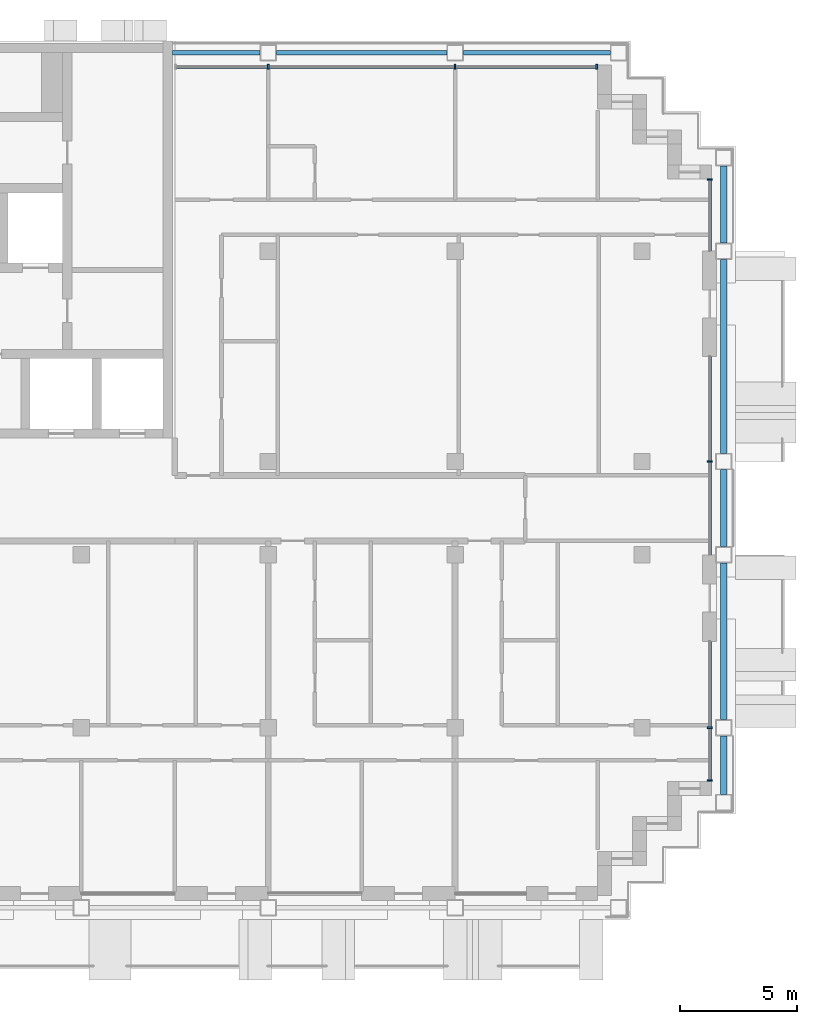
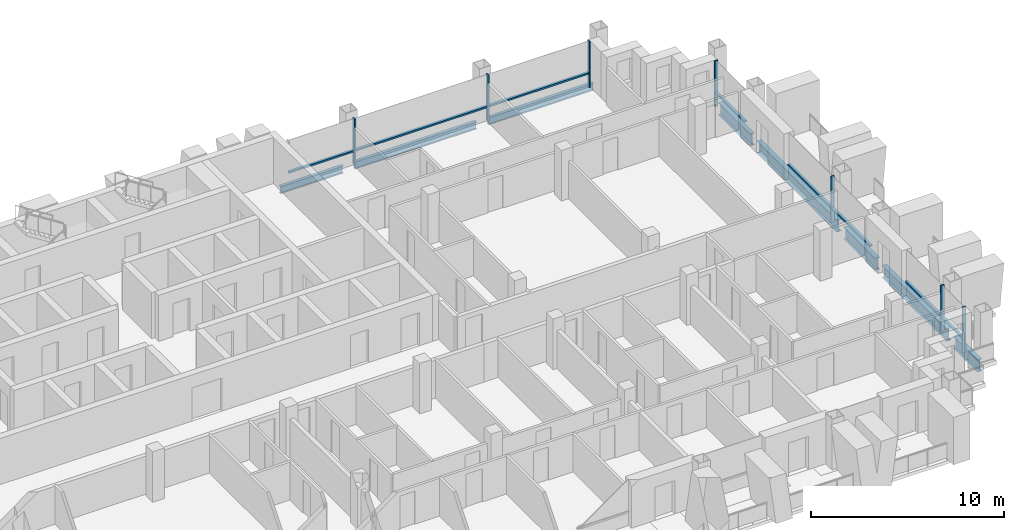
# One storey, part 5 of 16: 15 members, 8 beams, 4 elements without a shape of their own.
"""IFC4 building model written with IfcOpenShell, lengths in metres."""

from ifc_helpers import new_model, si_unit, direction, frame, origin, origin_2d, place, context, subcontext, project, spatial, rectangle, i_section, extrude, material, material_profile, profile_set, type_object, element, aggregate, save


model = new_model("IFC4")

# Units and contexts
model_context = context("Model", 3, precision=1e-05, world=origin(), true_north=direction((0.0, 1.0)))
body_context = subcontext(model_context, "Body", "Model", "MODEL_VIEW")
ifc_project = project(units=[si_unit("LENGTHUNIT", "METRE"), si_unit("AREAUNIT", "SQUARE_METRE"), si_unit("VOLUMEUNIT", "CUBIC_METRE"), si_unit("PLANEANGLEUNIT", "RADIAN"), si_unit("MASSUNIT", "GRAM", prefix="KILO")], contexts=[model_context])

# Site, building, storey
site_placement = place(None, origin())
site = spatial("IfcSite", under=ifc_project, at=site_placement, CompositionType="ELEMENT")
building_placement = place(site_placement, origin())
building = spatial("IfcBuilding", under=site, at=building_placement, Name="Vidyagriha Tower", CompositionType="ELEMENT")
storey_placement = place(building_placement, frame((0.0, 0.0, 181.300048828125)))
storey = spatial("IfcBuildingStorey", under=building, at=storey_placement, Name="L47", CompositionType="ELEMENT", Elevation=181.300048828125)

# Beams
ifc_material_1 = material(Name="Steel ASTM A992 Grade 50", Category="steel")
ifc_material_profile_1 = material_profile(ifc_material_1, i_section(OverallWidth=0.2666015625, OverallDepth=0.76953125, WebThickness=0.015625, FlangeThickness=0.025390625, at=origin_2d()), Name="W30X132")
ifc_profile_set_1 = profile_set([ifc_material_profile_1], Name="Steel ASTM A992 Grade 50")
beam_type_1 = type_object("IfcBeamType", Name="Cantilever edge beam W30X132", PredefinedType="SPANDREL", material=ifc_profile_set_1)
beam_1_placement = place(storey_placement, frame((37.5, -12.25, -0.664794921875), z_axis=(0.0, 1.0, 0.0), x_axis=(-1.0, 0.0, 0.0)))
element("IfcBeam", 1, at=beam_1_placement, inside=storey, type_object=beam_type_1, Name="st-beam-L47-E13", PredefinedType="SPANDREL", context=body_context, shape_type="SweptSolid", body=[
    extrude(i_section(OverallWidth=0.2666015625, OverallDepth=0.76953125, WebThickness=0.015625, FlangeThickness=0.025390625, at=origin_2d()), origin(), (0.0, 0.0, 1.0), 2.5),
])
beam_2_placement = place(storey_placement, frame((37.5, -9.050048828125, -0.664794921875), z_axis=(0.0, 1.0, 0.0), x_axis=(-1.0, 0.0, 0.0)))
element("IfcBeam", 2, at=beam_2_placement, inside=storey, type_object=beam_type_1, Name="st-beam-L47-E14", PredefinedType="SPANDREL", context=body_context, shape_type="SweptSolid", body=[
    extrude(i_section(OverallWidth=0.2666015625, OverallDepth=0.76953125, WebThickness=0.015625, FlangeThickness=0.025390625, at=origin_2d()), origin(), (0.0, 0.0, 1.0), 6.699951171875),
])
beam_3_placement = place(storey_placement, frame((37.5, -1.64990234375, -0.664794921875), z_axis=(0.0, 1.0, 0.0), x_axis=(-1.0, 0.0, 0.0)))
element("IfcBeam", 3, at=beam_3_placement, inside=storey, type_object=beam_type_1, Name="st-beam-L47-E15", PredefinedType="SPANDREL", context=body_context, shape_type="SweptSolid", body=[
    extrude(i_section(OverallWidth=0.2666015625, OverallDepth=0.76953125, WebThickness=0.015625, FlangeThickness=0.025390625, at=origin_2d()), origin(), (0.0, 0.0, 1.0), 3.2998046875),
])
beam_4_placement = place(storey_placement, frame((37.5, 2.35009765625, -0.664794921875), z_axis=(0.0, 1.0, 0.0), x_axis=(-1.0, 0.0, 0.0)))
element("IfcBeam", 4, at=beam_4_placement, inside=storey, type_object=beam_type_1, Name="st-beam-L47-E16", PredefinedType="SPANDREL", context=body_context, shape_type="SweptSolid", body=[
    extrude(i_section(OverallWidth=0.2666015625, OverallDepth=0.76953125, WebThickness=0.015625, FlangeThickness=0.025390625, at=origin_2d()), origin(), (0.0, 0.0, 1.0), 8.2998046875),
])
beam_5_placement = place(storey_placement, frame((37.5, 11.35009765625, -0.664794921875), z_axis=(0.0, 1.0, 0.0), x_axis=(-1.0, 0.0, 0.0)))
element("IfcBeam", 5, at=beam_5_placement, inside=storey, type_object=beam_type_1, Name="st-beam-L47-E17", PredefinedType="SPANDREL", context=body_context, shape_type="SweptSolid", body=[
    extrude(i_section(OverallWidth=0.2666015625, OverallDepth=0.76953125, WebThickness=0.015625, FlangeThickness=0.025390625, at=origin_2d()), origin(), (0.0, 0.0, 1.0), 3.2998046875),
])
ifc_material_2 = material(Name="Steel ASTM A992 Grade 50", Category="steel")
ifc_material_profile_2 = material_profile(ifc_material_2, i_section(OverallWidth=0.19189453125, OverallDepth=0.46240234375, WebThickness=0.010498046875, FlangeThickness=0.017578125, at=origin_2d()), Name="W18X60")
ifc_profile_set_2 = profile_set([ifc_material_profile_2], Name="Steel ASTM A992 Grade 50")
beam_type_2 = type_object("IfcBeamType", Name="Edge beam W18X60", PredefinedType="SPANDREL", material=ifc_profile_set_2)
beam_6_placement = place(storey_placement, frame((18.35009765625, 19.5, -0.51123046875), z_axis=(1.0, 0.0, 0.0), x_axis=(0.0, 1.0, 0.0)))
element("IfcBeam", 6, at=beam_6_placement, inside=storey, type_object=beam_type_2, Name="st-beam-L47-NE18", PredefinedType="SPANDREL", context=body_context, shape_type="SweptSolid", body=[
    extrude(i_section(OverallWidth=0.19189453125, OverallDepth=0.46240234375, WebThickness=0.010498046875, FlangeThickness=0.017578125, at=origin_2d()), origin(), (0.0, 0.0, 1.0), 7.2998046875),
])
beam_7_placement = place(storey_placement, frame((26.35009765625, 19.5, -0.51123046875), z_axis=(1.0, 0.0, 0.0), x_axis=(0.0, 1.0, 0.0)))
element("IfcBeam", 7, at=beam_7_placement, inside=storey, type_object=beam_type_2, Name="st-beam-L47-NE19", PredefinedType="SPANDREL", context=body_context, shape_type="SweptSolid", body=[
    extrude(i_section(OverallWidth=0.19189453125, OverallDepth=0.46240234375, WebThickness=0.010498046875, FlangeThickness=0.017578125, at=origin_2d()), origin(), (0.0, 0.0, 1.0), 6.2998046875),
])
beam_8_placement = place(storey_placement, frame((13.89990234375, 19.5, -0.51123046875), z_axis=(1.0, 0.0, 0.0), x_axis=(0.0, 1.0, 0.0)))
element("IfcBeam", 8, at=beam_8_placement, inside=storey, type_object=beam_type_2, Name="st-beam-L47-NC21", PredefinedType="SPANDREL", context=body_context, shape_type="SweptSolid", body=[
    extrude(i_section(OverallWidth=0.19189453125, OverallDepth=0.46240234375, WebThickness=0.010498046875, FlangeThickness=0.017578125, at=origin_2d()), origin(), (0.0, 0.0, 1.0), 3.75),
])

# Curtain wall, members
ifc_material_3 = material(Name="Aluminium and glass curtain wall", Category="aluminium")
curtain_wall_type = type_object("IfcCurtainWallType", Name="Dwelling skin unitised curtain wall", PredefinedType="USERDEFINED", material=ifc_material_3)
curtain_wall_1_placement = place(storey_placement, origin())
curtain_wall_1 = element("IfcCurtainWall", 9, at=curtain_wall_1_placement, inside=storey, type_object=curtain_wall_type, Name="CW1 dwelling skin", ObjectType="UNITISED", PredefinedType="USERDEFINED")
ifc_material_4 = material(Name="Aluminium black anodised", Category="aluminium")
ifc_material_profile_3 = material_profile(ifc_material_4, rectangle(XDim=0.199951171875, YDim=0.070068359375, at=origin_2d()), Name="Mullion 70x200 black aluminium")
ifc_profile_set_3 = profile_set([ifc_material_profile_3], Name="Aluminium black anodised")
member_type_1 = type_object("IfcMemberType", Name="Mullion 70x200 black aluminium", PredefinedType="MULLION", material=ifc_profile_set_3)
member_1_placement = place(storey_placement, frame((32.06494140625, 18.89990234375, 0.0), z_axis=(0.0, 0.0, 1.0), x_axis=(0.0, -1.0, 0.0)))
member_1 = element("IfcMember", 10, at=member_1_placement, type_object=member_type_1, Name="CW1 mullion 1", PredefinedType="MULLION", context=body_context, shape_type="SweptSolid", body=[
    extrude(rectangle(XDim=0.199951171875, YDim=0.070068359375, at=origin_2d()), origin(), (0.0, 0.0, 1.0), 2.919921875),
])
member_2_placement = place(storey_placement, frame((26.0, 18.89990234375, 0.0), z_axis=(0.0, 0.0, 1.0), x_axis=(0.0, -1.0, 0.0)))
member_2 = element("IfcMember", 11, at=member_2_placement, type_object=member_type_1, Name="CW1 mullion 2", PredefinedType="MULLION", context=body_context, shape_type="SweptSolid", body=[
    extrude(rectangle(XDim=0.199951171875, YDim=0.070068359375, at=origin_2d()), origin(), (0.0, 0.0, 1.0), 2.919921875),
])
member_3_placement = place(storey_placement, frame((18.0, 18.89990234375, 0.0), z_axis=(0.0, 0.0, 1.0), x_axis=(0.0, -1.0, 0.0)))
member_3 = element("IfcMember", 12, at=member_3_placement, type_object=member_type_1, Name="CW1 mullion 3", PredefinedType="MULLION", context=body_context, shape_type="SweptSolid", body=[
    extrude(rectangle(XDim=0.199951171875, YDim=0.070068359375, at=origin_2d()), origin(), (0.0, 0.0, 1.0), 2.919921875),
])

curtain_wall_2_placement = place(storey_placement, origin())
curtain_wall_2 = element("IfcCurtainWall", 13, at=curtain_wall_2_placement, inside=storey, type_object=curtain_wall_type, Name="CW1 dwelling skin", ObjectType="UNITISED", PredefinedType="USERDEFINED")
member_4_placement = place(storey_placement, frame((36.89990234375, -11.6650390625, 0.0), z_axis=(0.0, 0.0, 1.0), x_axis=(-1.0, 0.0, 0.0)))
member_4 = element("IfcMember", 14, at=member_4_placement, type_object=member_type_1, Name="CW1 mullion 1", PredefinedType="MULLION", context=body_context, shape_type="SweptSolid", body=[
    extrude(rectangle(XDim=0.199951171875, YDim=0.070068359375, at=origin_2d()), origin(), (0.0, 0.0, 1.0), 2.919921875),
])
member_5_placement = place(storey_placement, frame((36.89990234375, -9.39990234375, 0.0), z_axis=(0.0, 0.0, 1.0), x_axis=(-1.0, 0.0, 0.0)))
member_5 = element("IfcMember", 15, at=member_5_placement, type_object=member_type_1, Name="CW1 mullion 2", PredefinedType="MULLION", context=body_context, shape_type="SweptSolid", body=[
    extrude(rectangle(XDim=0.199951171875, YDim=0.070068359375, at=origin_2d()), origin(), (0.0, 0.0, 1.0), 2.919921875),
])

# Curtain wall, member
curtain_wall_3_placement = place(storey_placement, origin())
curtain_wall_3 = element("IfcCurtainWall", 16, at=curtain_wall_3_placement, inside=storey, type_object=curtain_wall_type, Name="CW1 dwelling skin", ObjectType="UNITISED", PredefinedType="USERDEFINED")
member_6_placement = place(storey_placement, frame((36.89990234375, 2.0, 0.0), z_axis=(0.0, 0.0, 1.0), x_axis=(-1.0, 0.0, 0.0)))
member_6 = element("IfcMember", 17, at=member_6_placement, type_object=member_type_1, Name="CW1 mullion 2", PredefinedType="MULLION", context=body_context, shape_type="SweptSolid", body=[
    extrude(rectangle(XDim=0.199951171875, YDim=0.070068359375, at=origin_2d()), origin(), (0.0, 0.0, 1.0), 2.919921875),
])

curtain_wall_4_placement = place(storey_placement, origin())
curtain_wall_4 = element("IfcCurtainWall", 18, at=curtain_wall_4_placement, inside=storey, type_object=curtain_wall_type, Name="CW1 dwelling skin", ObjectType="UNITISED", PredefinedType="USERDEFINED")
member_7_placement = place(storey_placement, frame((36.89990234375, 14.06494140625, 0.0), z_axis=(0.0, 0.0, 1.0), x_axis=(-1.0, 0.0, 0.0)))
member_7 = element("IfcMember", 19, at=member_7_placement, type_object=member_type_1, Name="CW1 mullion 2", PredefinedType="MULLION", context=body_context, shape_type="SweptSolid", body=[
    extrude(rectangle(XDim=0.199951171875, YDim=0.070068359375, at=origin_2d()), origin(), (0.0, 0.0, 1.0), 2.919921875),
])

# Member
ifc_material_5 = material(Name="Aluminium black anodised", Category="aluminium")
ifc_material_profile_4 = material_profile(ifc_material_5, rectangle(XDim=0.159912109375, YDim=0.10009765625, at=origin_2d()), Name="Transom 100x160 black aluminium")
ifc_profile_set_4 = profile_set([ifc_material_profile_4], Name="Aluminium black anodised")
member_type_2 = type_object("IfcMemberType", Name="Transom 100x160 black aluminium", PredefinedType="USERDEFINED", material=ifc_profile_set_4)
member_8_placement = place(storey_placement, frame((32.030029296875, 18.89990234375, 0.89990234375), z_axis=(-1.0, 0.0, 0.0), x_axis=(0.0, -1.0, 0.0)))
member_8 = element("IfcMember", 20, at=member_8_placement, type_object=member_type_2, Name="CW1 transom 1.1", ObjectType="TRANSOM", PredefinedType="USERDEFINED", context=body_context, shape_type="SweptSolid", body=[
    extrude(rectangle(XDim=0.159912109375, YDim=0.10009765625, at=origin_2d()), origin(), (0.0, 0.0, 1.0), 5.9951171875),
])

member_9_placement = place(storey_placement, frame((25.965087890625, 18.89990234375, 0.89990234375), z_axis=(-1.0, 0.0, 0.0), x_axis=(0.0, -1.0, 0.0)))
member_9 = element("IfcMember", 21, at=member_9_placement, type_object=member_type_2, Name="CW1 transom 2.1", ObjectType="TRANSOM", PredefinedType="USERDEFINED", context=body_context, shape_type="SweptSolid", body=[
    extrude(rectangle(XDim=0.159912109375, YDim=0.10009765625, at=origin_2d()), origin(), (0.0, 0.0, 1.0), 7.93017578125),
])

member_10_placement = place(storey_placement, frame((17.965087890625, 18.89990234375, 0.89990234375), z_axis=(-1.0, 0.0, 0.0), x_axis=(0.0, -1.0, 0.0)))
member_10 = element("IfcMember", 22, at=member_10_placement, type_object=member_type_2, Name="CW1 transom 3.1", ObjectType="TRANSOM", PredefinedType="USERDEFINED", context=body_context, shape_type="SweptSolid", body=[
    extrude(rectangle(XDim=0.159912109375, YDim=0.10009765625, at=origin_2d()), origin(), (0.0, 0.0, 1.0), 3.89501953125),
])

aggregate(curtain_wall_1, [member_1, member_2, member_3, member_8, member_9, member_10])

member_11_placement = place(storey_placement, frame((36.89990234375, -11.6298828125, 0.89990234375), z_axis=(0.0, 1.0, 0.0), x_axis=(-1.0, 0.0, 0.0)))
member_11 = element("IfcMember", 23, at=member_11_placement, type_object=member_type_2, Name="CW1 transom 1.1", ObjectType="TRANSOM", PredefinedType="USERDEFINED", context=body_context, shape_type="SweptSolid", body=[
    extrude(rectangle(XDim=0.159912109375, YDim=0.10009765625, at=origin_2d()), origin(), (0.0, 0.0, 1.0), 2.19482421875),
])

member_12_placement = place(storey_placement, frame((36.89990234375, -9.364990234375, 0.89990234375), z_axis=(0.0, 1.0, 0.0), x_axis=(-1.0, 0.0, 0.0)))
member_12 = element("IfcMember", 24, at=member_12_placement, type_object=member_type_2, Name="CW1 transom 2.1", ObjectType="TRANSOM", PredefinedType="USERDEFINED", context=body_context, shape_type="SweptSolid", body=[
    extrude(rectangle(XDim=0.159912109375, YDim=0.10009765625, at=origin_2d()), origin(), (0.0, 0.0, 1.0), 3.6650390625),
])

aggregate(curtain_wall_2, [member_4, member_5, member_11, member_12])

member_13_placement = place(storey_placement, frame((36.89990234375, -2.0, 0.89990234375), z_axis=(0.0, 1.0, 0.0), x_axis=(-1.0, 0.0, 0.0)))
member_13 = element("IfcMember", 25, at=member_13_placement, type_object=member_type_2, Name="CW1 transom 1.1", ObjectType="TRANSOM", PredefinedType="USERDEFINED", context=body_context, shape_type="SweptSolid", body=[
    extrude(rectangle(XDim=0.159912109375, YDim=0.10009765625, at=origin_2d()), origin(), (0.0, 0.0, 1.0), 3.965087890625),
])

member_14_placement = place(storey_placement, frame((36.89990234375, 2.034912109375, 0.89990234375), z_axis=(0.0, 1.0, 0.0), x_axis=(-1.0, 0.0, 0.0)))
member_14 = element("IfcMember", 26, at=member_14_placement, type_object=member_type_2, Name="CW1 transom 2.1", ObjectType="TRANSOM", PredefinedType="USERDEFINED", context=body_context, shape_type="SweptSolid", body=[
    extrude(rectangle(XDim=0.159912109375, YDim=0.10009765625, at=origin_2d()), origin(), (0.0, 0.0, 1.0), 4.465087890625),
])

aggregate(curtain_wall_3, [member_6, member_13, member_14])

member_15_placement = place(storey_placement, frame((36.89990234375, 11.0, 0.89990234375), z_axis=(0.0, 1.0, 0.0), x_axis=(-1.0, 0.0, 0.0)))
member_15 = element("IfcMember", 27, at=member_15_placement, type_object=member_type_2, Name="CW1 transom 1.1", ObjectType="TRANSOM", PredefinedType="USERDEFINED", context=body_context, shape_type="SweptSolid", body=[
    extrude(rectangle(XDim=0.159912109375, YDim=0.10009765625, at=origin_2d()), origin(), (0.0, 0.0, 1.0), 3.030029296875),
])

aggregate(curtain_wall_4, [member_7, member_15])

save(model, "model.ifc")
